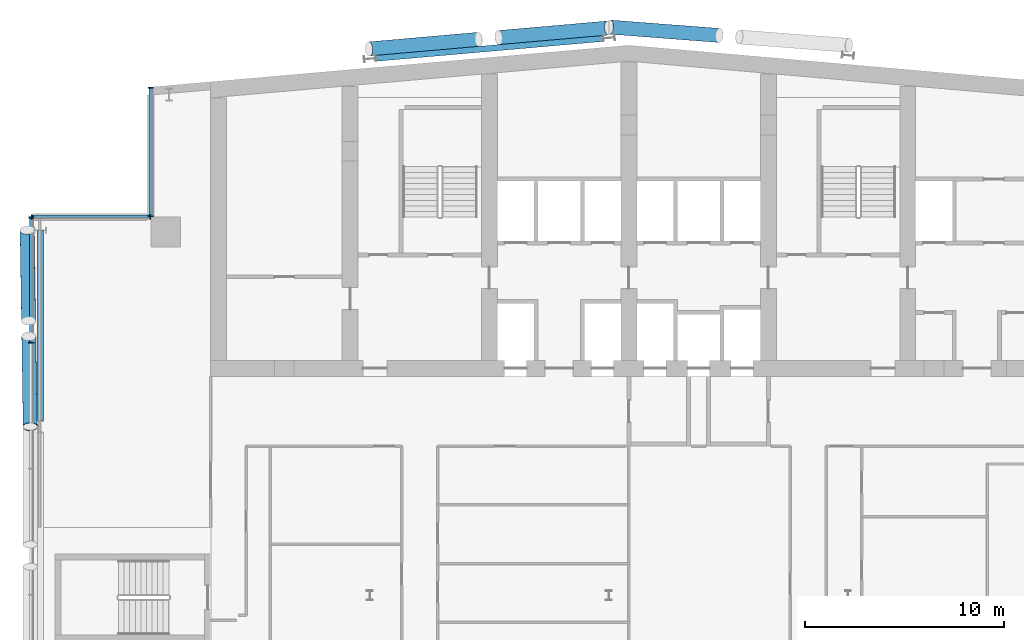
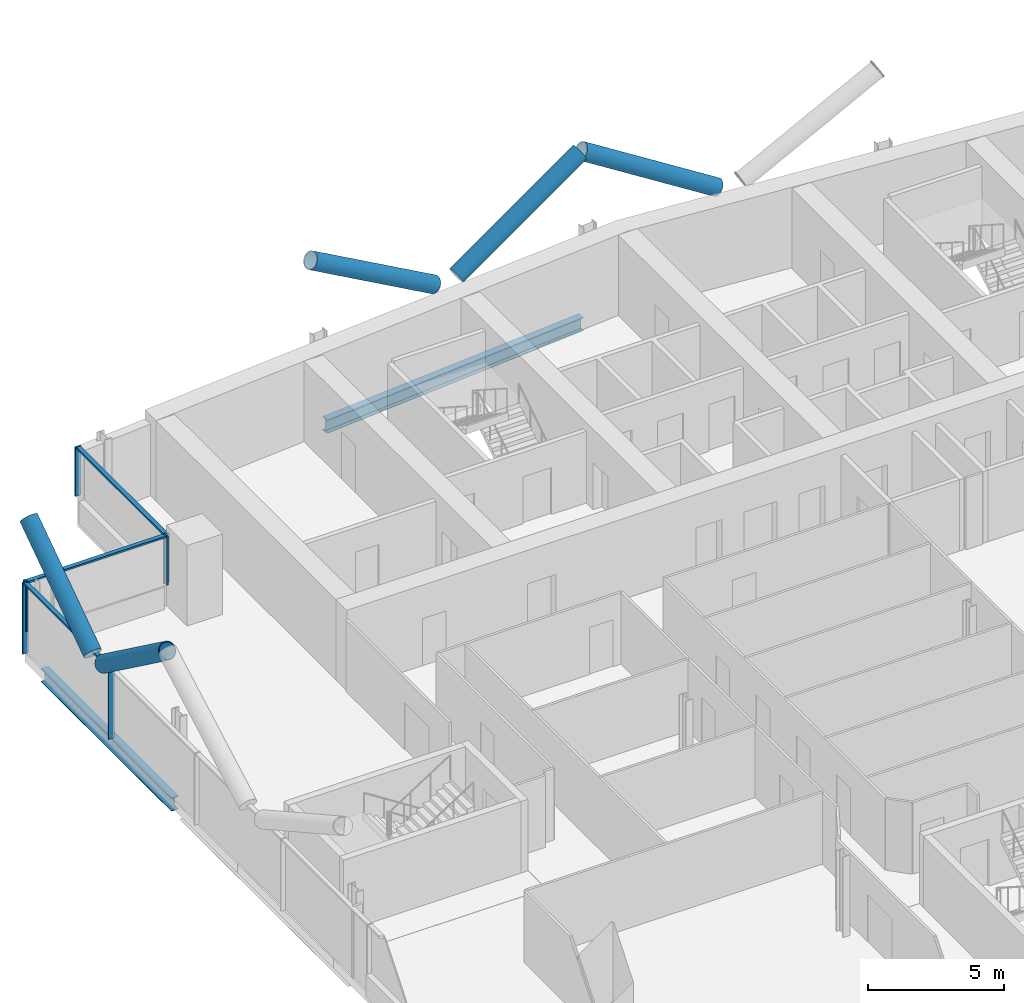
# One storey, part 9 of 26: 14 members, 2 beams, 3 elements without a shape of their own.
"""IFC4 building model written with IfcOpenShell, lengths in metres."""

import ifcopenshell
import ifcopenshell.guid

model = None  # the IFC model being written
_history = None  # IfcOwnerHistory: only IFC2X3 demands one
_inside = {}  # id of a spatial element -> (the spatial element, [elements in it])
_under = {}  # id of a project, library or spatial element -> (it, [spatial elements below it])
_declared = {}  # id of a project -> (the project, [libraries it declares])
_typed = {}  # id of a type object -> (the type object, [elements of that type])
_made_of = {}  # id of a material, layer set ... -> (it, [elements and type objects made of it])


def new_model(schema):
    """Start an empty IFC model of exactly this schema.

    Asked for "IFC4X3", IfcOpenShell would pick the latest addendum, in which some entities
    have other attributes; the version numbers below select the first issue.
    IFC2X3 requires an IfcOwnerHistory on every rooted entity: one is made here for all.
    """
    global model, _history
    if schema == "IFC4X3":
        model = ifcopenshell.file(schema_version=(4, 3, 0, 0))
    else:
        model = ifcopenshell.file(schema=schema)
    _inside.clear()
    _under.clear()
    _declared.clear()
    _typed.clear()
    _made_of.clear()
    _history = None
    if model.schema == "IFC2X3":
        org = make("IfcOrganization", Name="unknown")
        user = make(
            "IfcPersonAndOrganization",
            ThePerson=make("IfcPerson", FamilyName="unknown"),
            TheOrganization=org,
        )
        app = make(
            "IfcApplication",
            ApplicationDeveloper=org,
            Version="unknown",
            ApplicationFullName="unknown",
            ApplicationIdentifier="unknown",
        )
        _history = make(
            "IfcOwnerHistory",
            OwningUser=user,
            OwningApplication=app,
            ChangeAction="ADDED",
            CreationDate=0,
        )
    return model


def make(cls, **values):
    """One entity of the class cls with the attributes given. An attribute that is None is left unset."""
    return model.create_entity(
        cls, **{name: value for name, value in values.items() if value is not None}
    )


def rooted(cls, **values):
    """An entity with a GlobalId (a new one), such as an element, a storey or a relation."""
    return make(cls, GlobalId=ifcopenshell.guid.new(), OwnerHistory=_history, **values)


def si_unit(unit_type, name, prefix=None):
    """IfcSIUnit, for example si_unit("LENGTHUNIT", "METRE", prefix="MILLI")."""
    return make("IfcSIUnit", UnitType=unit_type, Prefix=prefix, Name=name)


def assignment(units):
    """IfcUnitAssignment: the units of a project."""
    return None if units is None else make("IfcUnitAssignment", Units=units)


def point(xyz):
    """IfcCartesianPoint."""
    return None if xyz is None else make("IfcCartesianPoint", Coordinates=xyz)


def direction(xyz):
    """IfcDirection."""
    return None if xyz is None else make("IfcDirection", DirectionRatios=xyz)


def frame(location, z_axis=None, x_axis=None):
    """IfcAxis2Placement3D, a coordinate frame: its origin and axes. An axis left out is left unset."""
    return make(
        "IfcAxis2Placement3D",
        Location=point(location),
        Axis=direction(z_axis),
        RefDirection=direction(x_axis),
    )


def frame_2d(location, x_axis=None):
    """IfcAxis2Placement2D, a coordinate frame in the plane: its origin and x axis."""
    return make(
        "IfcAxis2Placement2D", Location=point(location), RefDirection=direction(x_axis)
    )


def origin():
    """The frame at (0, 0, 0) with its axes left unset."""
    return frame((0.0, 0.0, 0.0))


def origin_2d():
    """The frame at (0, 0) in the plane with its x axis left unset."""
    return frame_2d((0.0, 0.0))


def place(relative_to, where):
    """IfcLocalPlacement: puts the frame where relative to a parent placement (None: the world)."""
    return make(
        "IfcLocalPlacement", PlacementRelTo=relative_to, RelativePlacement=where
    )


def context(
    kind, dimensions, precision=None, world=None, true_north=None, identifier=None
):
    """IfcGeometricRepresentationContext, for example the 3D "Model" context."""
    return make(
        "IfcGeometricRepresentationContext",
        ContextIdentifier=identifier,
        ContextType=kind,
        CoordinateSpaceDimension=dimensions,
        Precision=precision,
        WorldCoordinateSystem=world,
        TrueNorth=true_north,
    )


def subcontext(parent, identifier, kind, view, scale=None):
    """IfcGeometricRepresentationSubContext, for example "Body" below "Model"."""
    return make(
        "IfcGeometricRepresentationSubContext",
        ContextIdentifier=identifier,
        ContextType=kind,
        ParentContext=parent,
        TargetScale=scale,
        TargetView=view,
    )


def project(units=None, contexts=None):
    """IfcProject with its units and contexts."""
    return rooted(
        "IfcProject",
        Name="project",
        RepresentationContexts=contexts,
        UnitsInContext=assignment(units),
    )


def spatial(cls, under=None, at=None, **own):
    """A site, building, storey or space (cls), placed at a placement, below another one or the project."""
    s = rooted(cls, ObjectPlacement=at, **own)
    if under is not None:
        _under.setdefault(under.id(), (under, []))[1].append(s)
    return s


def profile(cls, at=None, kind="AREA", **sizes):
    """A parametric profile (cls). Its sizes go by their IFC names, for example OverallWidth=200.0."""
    return make(cls, ProfileType=kind, Position=at, **sizes)


def rectangle(**sizes):
    """IfcRectangleProfileDef."""
    return profile("IfcRectangleProfileDef", **sizes)


def hollow_circle(**sizes):
    """IfcCircleHollowProfileDef."""
    return profile("IfcCircleHollowProfileDef", **sizes)


def i_section(**sizes):
    """IfcIShapeProfileDef."""
    return profile("IfcIShapeProfileDef", **sizes)


def extrude(swept, where, along, depth):
    """IfcExtrudedAreaSolid: the profile swept, set in the frame where, extruded along a direction by depth."""
    return make(
        "IfcExtrudedAreaSolid",
        SweptArea=swept,
        Position=where,
        ExtrudedDirection=direction(along),
        Depth=depth,
    )


def shape(context_of_items, identifier, shape_type, items):
    """IfcShapeRepresentation: the items that make up one representation, for example the "Body"."""
    return make(
        "IfcShapeRepresentation",
        ContextOfItems=context_of_items,
        RepresentationIdentifier=identifier,
        RepresentationType=shape_type,
        Items=items,
    )


def material(Name=None, Category=None):
    """IfcMaterial."""
    return make("IfcMaterial", Name=Name, Category=Category)


def material_profile(
    of_material, cross_section, Name=None, Category=None, Priority=None
):
    """IfcMaterialProfile: a cross section and its material."""
    return make(
        "IfcMaterialProfile",
        Name=Name,
        Material=of_material,
        Profile=cross_section,
        Priority=Priority,
        Category=Category,
    )


def profile_set(profiles, Name=None, composite=None):
    """IfcMaterialProfileSet."""
    return make(
        "IfcMaterialProfileSet",
        Name=Name,
        MaterialProfiles=profiles,
        CompositeProfile=composite,
    )


def made_of(thing, what):
    """Note that an element or type object is made of a material, layer set ...; save() writes the relation."""
    if what is not None:
        _made_of.setdefault(what.id(), (what, []))[1].append(thing)
    return thing


def type_object(cls, material=None, **own):
    """A type object (cls), such as IfcWallType, which elements share."""
    return made_of(rooted(cls, **own), material)


def element(
    cls,
    number,
    at=None,
    inside=None,
    cuts=None,
    type_object=None,
    material=None,
    context=None,
    identifier="Body",
    shape_type=None,
    held_by="IfcProductDefinitionShape",
    body=None,
    shapes=None,
    **own,
):
    """One element of the class cls, such as IfcWall. Its Tag is "e" and its number.

    at: its placement. inside: the storey or other place that contains it. cuts: it is an
    opening in that element (IfcRelVoidsElement). A single representation is given by context,
    identifier, shape_type and body (its items); several are given by shapes. held_by: the class
    of the entity that holds the representations. save() writes the other relations.
    """
    e = rooted(cls, Tag="e%d" % number, ObjectPlacement=at, **own)
    if body is not None:
        shapes = [shape(context, identifier, shape_type, body)]
    if shapes is not None:
        e.Representation = make(held_by, Representations=shapes)
    if inside is not None:
        _inside.setdefault(inside.id(), (inside, []))[1].append(e)
    if cuts is not None:
        rooted(
            "IfcRelVoidsElement", RelatingBuildingElement=cuts, RelatedOpeningElement=e
        )
    if type_object is not None:
        _typed.setdefault(type_object.id(), (type_object, []))[1].append(e)
    return made_of(e, material)


def aggregate(whole, parts):
    """IfcRelAggregates: a whole, such as a stair, and the parts it consists of."""
    return rooted("IfcRelAggregates", RelatingObject=whole, RelatedObjects=parts)


def save(model, path):
    """Write the relations noted so far, then the file.

    IfcRelAggregates (storeys below a building ...), IfcRelContainedInSpatialStructure (elements
    in a storey), IfcRelDefinesByType, IfcRelAssociatesMaterial and IfcRelDeclares: one each for
    every whole, place, type object, material and project.
    """
    for whole, parts in _under.values():
        aggregate(whole, parts)
    for where, things in _inside.values():
        rooted(
            "IfcRelContainedInSpatialStructure",
            RelatedElements=things,
            RelatingStructure=where,
        )
    for kind, things in _typed.values():
        rooted("IfcRelDefinesByType", RelatedObjects=things, RelatingType=kind)
    for what, things in _made_of.values():
        rooted("IfcRelAssociatesMaterial", RelatedObjects=things, RelatingMaterial=what)
    for by, libraries in _declared.values():
        rooted("IfcRelDeclares", RelatingContext=by, RelatedDefinitions=libraries)
    model.write(path)


model = new_model("IFC4")

# Units and contexts
model_context = context("Model", 3, precision=1e-05, world=origin(), true_north=direction((0.0, 1.0)))
body_context = subcontext(model_context, "Body", "Model", "MODEL_VIEW")
ifc_project = project(units=[si_unit("LENGTHUNIT", "METRE"), si_unit("AREAUNIT", "SQUARE_METRE"), si_unit("VOLUMEUNIT", "CUBIC_METRE"), si_unit("PLANEANGLEUNIT", "RADIAN"), si_unit("MASSUNIT", "GRAM", prefix="KILO")], contexts=[model_context])

# Site, building, storey
site_placement = place(None, origin())
site = spatial("IfcSite", under=ifc_project, at=site_placement, CompositionType="ELEMENT")
building_placement = place(site_placement, origin())
building = spatial("IfcBuilding", under=site, at=building_placement, Name="Wharfspan Tower", CompositionType="ELEMENT")
storey_placement = place(building_placement, frame((0.0, 0.0, 166.300049)))
storey = spatial("IfcBuildingStorey", under=building, at=storey_placement, Name="L40", CompositionType="ELEMENT", Elevation=166.300049)

# Beams
ifc_material_1 = material(Name="Steel S355J2", Category="steel")
ifc_material_profile_1 = material_profile(ifc_material_1, i_section(OverallWidth=0.300049, OverallDepth=0.600098, WebThickness=0.015381, FlangeThickness=0.030029, FilletRadius=0.0271, at=origin_2d()))
ifc_profile_set_1 = profile_set([ifc_material_profile_1], Name="Steel S355J2")
beam_type = type_object("IfcBeamType", Name="Edge beam HEB 600", PredefinedType="SPANDREL", material=ifc_profile_set_1)
beam_1_placement = place(storey_placement, frame((35.705078, 50.961426, -0.699951), z_axis=(-0.996194, -0.087158, 0.0), x_axis=(0.087158, -0.996194, 0.0)))
element("IfcBeam", 1, at=beam_1_placement, inside=storey, type_object=beam_type, Name="Edge beam N1 L40 R.2 to R.1", PredefinedType="SPANDREL", context=body_context, shape_type="SweptSolid", body=[
    extrude(i_section(OverallWidth=0.300049, OverallDepth=0.600098, WebThickness=0.015381, FlangeThickness=0.030029, FilletRadius=0.0271, at=origin_2d()), origin(), (0.0, 0.0, 1.0), 11.453857),
])
beam_2_placement = place(storey_placement, frame((7.450439, 41.32666, -0.699951), z_axis=(-5.1e-05, -1.0, 0.0), x_axis=(1.0, -5.1e-05, 0.0)))
element("IfcBeam", 2, at=beam_2_placement, inside=storey, type_object=beam_type, Name="Edge beam W L40 PNRW-H.1 to PW.1", PredefinedType="SPANDREL", context=body_context, shape_type="SweptSolid", body=[
    extrude(i_section(OverallWidth=0.300049, OverallDepth=0.600098, WebThickness=0.015381, FlangeThickness=0.030029, FilletRadius=0.0271, at=origin_2d()), origin(), (0.0, 0.0, 1.0), 9.553955),
])

# Curtain wall, members
ifc_material_2 = material(Name="Aluminium 6063-T6", Category="aluminium")
curtain_wall_type = type_object("IfcCurtainWallType", Name="CURTAIN WALL PROW AND END", PredefinedType="NOTDEFINED", material=ifc_material_2)
curtain_wall_1_placement = place(storey_placement, origin())
curtain_wall_1 = element("IfcCurtainWall", 3, at=curtain_wall_1_placement, inside=storey, type_object=curtain_wall_type, Name="Curtain wall NRW-V", PredefinedType="NOTDEFINED")
ifc_material_profile_2 = material_profile(ifc_material_2, rectangle(XDim=0.23999, YDim=0.060059, at=origin_2d()))
ifc_profile_set_2 = profile_set([ifc_material_profile_2], Name="Aluminium 6063-T6")
member_type_1 = type_object("IfcMemberType", Name="MULLION PROW AND END 60x240", PredefinedType="MULLION", material=ifc_profile_set_2)
member_1_placement = place(storey_placement, frame((13.0, 48.494873, 1.0), z_axis=(0.0, 0.0, 1.0), x_axis=(1.0, 0.0, 0.0)))
member_1 = element("IfcMember", 4, at=member_1_placement, type_object=member_type_1, Name="Curtain wall NRW-V mullion 1", PredefinedType="MULLION", context=body_context, shape_type="SweptSolid", body=[
    extrude(rectangle(XDim=0.23999, YDim=0.060059, at=origin_2d()), origin(), (0.0, 0.0, 1.0), 2.199951),
])
member_2_placement = place(storey_placement, frame((13.0, 42.030029, 1.0), z_axis=(0.0, 0.0, 1.0), x_axis=(1.0, 0.0, 0.0)))
member_2 = element("IfcMember", 5, at=member_2_placement, type_object=member_type_1, Name="Curtain wall NRW-V mullion 2", PredefinedType="MULLION", context=body_context, shape_type="SweptSolid", body=[
    extrude(rectangle(XDim=0.23999, YDim=0.060059, at=origin_2d()), origin(), (0.0, 0.0, 1.0), 2.199951),
])

curtain_wall_2_placement = place(storey_placement, origin())
curtain_wall_2 = element("IfcCurtainWall", 6, at=curtain_wall_2_placement, inside=storey, type_object=curtain_wall_type, Name="Curtain wall NRW-H", PredefinedType="NOTDEFINED")
member_3_placement = place(storey_placement, frame((12.969971, 42.0, 1.0), z_axis=(0.0, 0.0, 1.0), x_axis=(0.0, -1.0, 0.0)))
member_3 = element("IfcMember", 7, at=member_3_placement, type_object=member_type_1, Name="Curtain wall NRW-H mullion 1", PredefinedType="MULLION", context=body_context, shape_type="SweptSolid", body=[
    extrude(rectangle(XDim=0.23999, YDim=0.060059, at=origin_2d()), origin(), (0.0, 0.0, 1.0), 2.199951),
])
member_4_placement = place(storey_placement, frame((7.030029, 42.0, 1.0), z_axis=(0.0, 0.0, 1.0), x_axis=(0.0, -1.0, 0.0)))
member_4 = element("IfcMember", 8, at=member_4_placement, type_object=member_type_1, Name="Curtain wall NRW-H mullion 2", PredefinedType="MULLION", context=body_context, shape_type="SweptSolid", body=[
    extrude(rectangle(XDim=0.23999, YDim=0.060059, at=origin_2d()), origin(), (0.0, 0.0, 1.0), 2.199951),
])

curtain_wall_3_placement = place(storey_placement, origin())
curtain_wall_3 = element("IfcCurtainWall", 9, at=curtain_wall_3_placement, inside=storey, type_object=curtain_wall_type, Name="Curtain wall W", PredefinedType="NOTDEFINED")
member_5_placement = place(storey_placement, frame((7.0, 41.969971, 0.0), z_axis=(0.0, 0.0, 1.0), x_axis=(1.0, 0.0, 0.0)))
member_5 = element("IfcMember", 10, at=member_5_placement, type_object=member_type_1, Name="Curtain wall W mullion 1", PredefinedType="MULLION", context=body_context, shape_type="SweptSolid", body=[
    extrude(rectangle(XDim=0.23999, YDim=0.060059, at=origin_2d()), origin(), (0.0, 0.0, 1.0), 3.199951),
])
member_6_placement = place(storey_placement, frame((7.0, 35.679932, 0.0), z_axis=(0.0, 0.0, 1.0), x_axis=(1.0, 0.0, 0.0)))
member_6 = element("IfcMember", 11, at=member_6_placement, type_object=member_type_1, Name="Curtain wall W mullion 2", PredefinedType="MULLION", context=body_context, shape_type="SweptSolid", body=[
    extrude(rectangle(XDim=0.23999, YDim=0.060059, at=origin_2d()), origin(), (0.0, 0.0, 1.0), 3.199951),
])

# Members
ifc_material_3 = material(Name="Steel S460NH", Category="steel")
ifc_material_profile_3 = material_profile(ifc_material_3, hollow_circle(Radius=0.355469, WallThickness=0.035889, at=origin_2d()))
ifc_profile_set_3 = profile_set([ifc_material_profile_3], Name="Steel S460NH")
member_type_2 = type_object("IfcMemberType", Name="Mega brace CHS 711x36", PredefinedType="BRACE", material=ifc_profile_set_3)
for number, where, z_axis, x_axis, name in (
    (12, (6.872803, 36.009033, 3.185059), (0.01285, -0.807711, 0.589439), (0.999876, 0.015905, -3e-06), "Mega brace W4 L40 part 2"),
    (13, (6.860352, 36.790771, 3.185059), (-0.01285, 0.807696, 0.589459), (-0.999875, -0.015906, -2e-06), "Mega brace W4 L40 part 4"),
):
    element("IfcMember", number, at=place(storey_placement, frame(where, z_axis=z_axis, x_axis=x_axis)), inside=storey, type_object=member_type_2, Name=name, PredefinedType="BRACE", context=body_context, shape_type="SweptSolid", body=[
        extrude(hollow_circle(Radius=0.355469, WallThickness=0.035889, at=origin_2d()), origin(), (0.0, 0.0, 1.0), 5.623779),
    ])
member_7_placement = place(storey_placement, frame((30.461426, 51.00708, 3.203125), z_axis=(0.855094, 0.074807, 0.513049), x_axis=(-0.087152, 0.996192, 2e-06)))
element("IfcMember", 14, at=member_7_placement, inside=storey, type_object=member_type_2, Name="Mega brace N7 L40 part 2", PredefinedType="BRACE", context=body_context, shape_type="SweptSolid", body=[
    extrude(hollow_circle(Radius=0.355469, WallThickness=0.035889, at=origin_2d()), origin(), (0.0, 0.0, 1.0), 6.426025),
])
member_8_placement = place(storey_placement, frame((29.450928, 50.918701, 3.203125), z_axis=(-0.855083, -0.074809, 0.513065), x_axis=(0.087154, -0.996196, -1e-06)))
element("IfcMember", 15, at=member_8_placement, inside=storey, type_object=member_type_2, Name="Mega brace N7 L40 part 4", PredefinedType="BRACE", context=body_context, shape_type="SweptSolid", body=[
    extrude(hollow_circle(Radius=0.355469, WallThickness=0.035889, at=origin_2d()), origin(), (0.0, 0.0, 1.0), 6.425781),
])
member_9_placement = place(storey_placement, frame((41.533447, 51.114502, 3.202881), z_axis=(-0.855596, 0.065362, 0.513502), x_axis=(-0.076171, -0.997095, 1e-06)))
element("IfcMember", 16, at=member_9_placement, inside=storey, type_object=member_type_2, Name="Mega brace N8 L40 part 4", PredefinedType="BRACE", context=body_context, shape_type="SweptSolid", body=[
    extrude(hollow_circle(Radius=0.355469, WallThickness=0.035889, at=origin_2d()), origin(), (0.0, 0.0, 1.0), 6.420898),
])

# Member
ifc_material_profile_4 = material_profile(ifc_material_2, rectangle(XDim=0.179932, YDim=0.080078, at=origin_2d()))
ifc_profile_set_4 = profile_set([ifc_material_profile_4], Name="Aluminium 6063-T6")
member_type_3 = type_object("IfcMemberType", Name="TRANSOM PROW AND END 80x180", PredefinedType="USERDEFINED", material=ifc_profile_set_4)
member_10_placement = place(storey_placement, frame((13.0, 48.464844, 3.159912), z_axis=(0.0, -1.0, 0.0), x_axis=(1.0, 0.0, 0.0)))
member_10 = element("IfcMember", 17, at=member_10_placement, type_object=member_type_3, Name="Curtain wall NRW-V transom 1", ObjectType="TRANSOM", PredefinedType="USERDEFINED", context=body_context, shape_type="SweptSolid", body=[
    extrude(rectangle(XDim=0.179932, YDim=0.080078, at=origin_2d()), origin(), (0.0, 0.0, 1.0), 6.404785),
])

aggregate(curtain_wall_1, [member_1, member_2, member_10])

member_11_placement = place(storey_placement, frame((12.939941, 42.0, 3.159912), z_axis=(-1.0, 0.0, 0.0), x_axis=(0.0, -1.0, 0.0)))
member_11 = element("IfcMember", 18, at=member_11_placement, type_object=member_type_3, Name="Curtain wall NRW-H transom 1", ObjectType="TRANSOM", PredefinedType="USERDEFINED", context=body_context, shape_type="SweptSolid", body=[
    extrude(rectangle(XDim=0.179932, YDim=0.080078, at=origin_2d()), origin(), (0.0, 0.0, 1.0), 5.879883),
])

aggregate(curtain_wall_2, [member_3, member_4, member_11])

member_12_placement = place(storey_placement, frame((7.0, 41.939941, 3.159912), z_axis=(0.0, -1.0, 0.0), x_axis=(1.0, 0.0, 0.0)))
member_12 = element("IfcMember", 19, at=member_12_placement, type_object=member_type_3, Name="Curtain wall W transom 1", ObjectType="TRANSOM", PredefinedType="USERDEFINED", context=body_context, shape_type="SweptSolid", body=[
    extrude(rectangle(XDim=0.179932, YDim=0.080078, at=origin_2d()), origin(), (0.0, 0.0, 1.0), 6.22998),
])

aggregate(curtain_wall_3, [member_5, member_6, member_12])

save(model, "model.ifc")
